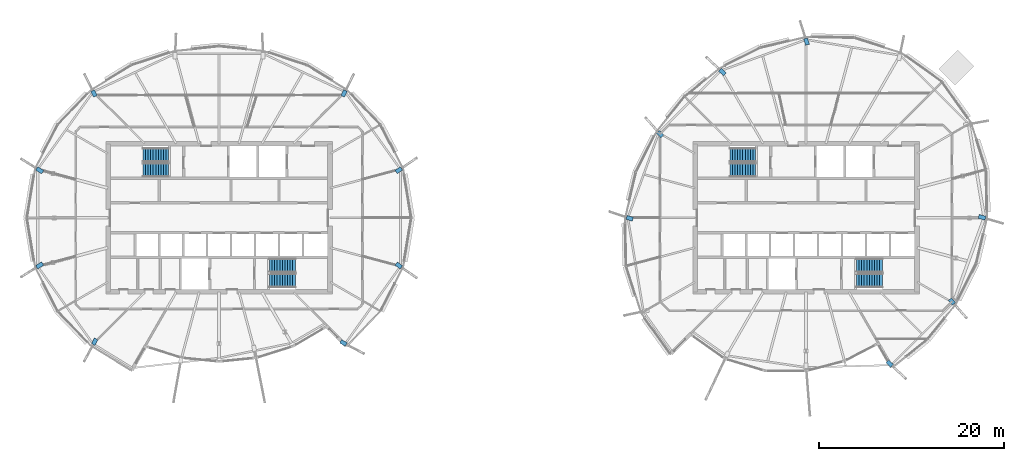
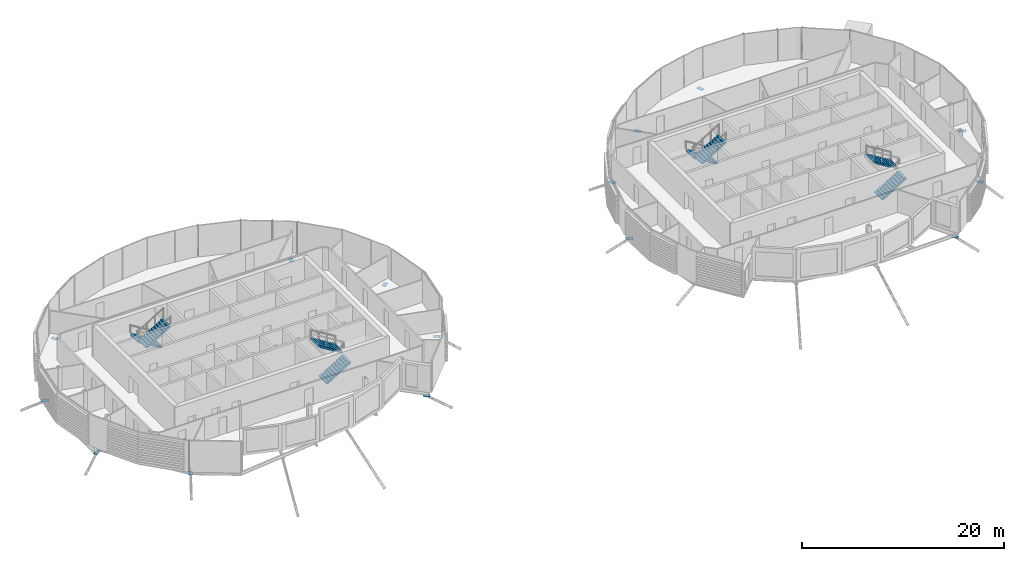
# One storey, part 22 of 35: 15 discrete accessories, 8 stair flights, 4 elements without a shape of their own.
"""IFC4 building model written with IfcOpenShell, lengths in metres."""

from ifc_helpers import new_model, si_unit, direction, frame, origin, origin_2d, place, context, subcontext, project, spatial, polyline, rectangle, outline, extrude, material, material_profile, profile_set, type_object, element, aggregate, save


model = new_model("IFC4")

# Units and contexts
model_context = context("Model", 3, precision=1e-05, world=origin(), true_north=direction((0.0, 1.0)))
body_context = subcontext(model_context, "Body", "Model", "MODEL_VIEW")
ifc_project = project(units=[si_unit("LENGTHUNIT", "METRE"), si_unit("AREAUNIT", "SQUARE_METRE"), si_unit("VOLUMEUNIT", "CUBIC_METRE"), si_unit("PLANEANGLEUNIT", "RADIAN"), si_unit("MASSUNIT", "GRAM", prefix="KILO")], contexts=[model_context])

# Site, building, storey
site_placement = place(None, origin())
site = spatial("IfcSite", under=ifc_project, at=site_placement, CompositionType="ELEMENT")
building_placement = place(site_placement, origin())
building = spatial("IfcBuilding", under=site, at=building_placement, Name="Rimbun Link Towers", CompositionType="ELEMENT")
storey_placement = place(building_placement, frame((0.0, 0.0, 225.699951171875)))
storey = spatial("IfcBuildingStorey", under=building, at=storey_placement, Name="L55", CompositionType="ELEMENT", Elevation=225.699951171875)

# Stair, stair flights
ifc_material_1 = material(Name="Concrete C40/50", Category="concrete")
stair_type = type_object("IfcStairType", Name="Exit stair 3800 rise", PredefinedType="HALF_TURN_STAIR", material=ifc_material_1)
stair_1_placement = place(storey_placement, origin())
stair_1 = element("IfcStair", 1, at=stair_1_placement, inside=storey, type_object=stair_type, Name="L55 EXIT STAIR A", PredefinedType="HALF_TURN_STAIR")
ifc_material_2 = material(Name="Concrete C40/50", Category="concrete")
stair_flight_type = type_object("IfcStairFlightType", Name="Exit stair flight 3800 rise", PredefinedType="STRAIGHT", material=ifc_material_2)
stair_flight_1_placement = place(storey_placement, frame((-37.199951171875, 6.800048828125, 0.0), z_axis=(0.0, 0.0, 1.0), x_axis=(-1.0, 0.0, 0.0)))
stair_flight_1 = element("IfcStairFlight", 2, at=stair_flight_1_placement, type_object=stair_flight_type, Name="ST1 flight 1", NumberOfRisers=11, NumberOfTreads=10, PredefinedType="STRAIGHT", RiserHeight=0.172727273, TreadLength=0.28, context=body_context, shape_type="SweptSolid", body=[
    extrude(outline(polyline([(0.0, 0.0), (0.0, 0.172607421875), (0.280029296875, 0.172607421875), (0.280029296875, 0.345458984375), (0.56005859375, 0.345458984375), (0.56005859375, 0.51806640625), (0.840087890625, 0.51806640625), (0.840087890625, 0.69091796875), (1.1201171875, 0.69091796875), (1.1201171875, 0.863525390625), (1.39990234375, 0.863525390625), (1.39990234375, 1.036376953125), (1.679931640625, 1.036376953125), (1.679931640625, 1.208984375), (1.9599609375, 1.208984375), (1.9599609375, 1.3818359375), (2.239990234375, 1.3818359375), (2.239990234375, 1.554443359375), (2.52001953125, 1.554443359375), (2.52001953125, 1.727294921875), (2.800048828125, 1.727294921875), (2.800048828125, 1.89990234375), (2.800048828125, 1.551025390625), (0.280029296875, 0.0), (0.0, 0.0)])), frame((0.0, 0.75, 0.0), z_axis=(0.0, -1.0, 0.0), x_axis=(1.0, 0.0, 0.0)), (0.0, 0.0, 1.0), 1.5),
])
stair_flight_2_placement = place(storey_placement, frame((-40.0, 5.14990234375, 1.900146484375), z_axis=(0.0, 0.0, 1.0), x_axis=(1.0, 0.0, 0.0)))
stair_flight_2 = element("IfcStairFlight", 3, at=stair_flight_2_placement, type_object=stair_flight_type, Name="ST1 flight 2", NumberOfRisers=11, NumberOfTreads=10, PredefinedType="STRAIGHT", RiserHeight=0.172727273, TreadLength=0.28, context=body_context, shape_type="SweptSolid", body=[
    extrude(outline(polyline([(0.0, 0.0), (0.0, 0.172607421875), (0.280029296875, 0.172607421875), (0.280029296875, 0.345458984375), (0.56005859375, 0.345458984375), (0.56005859375, 0.51806640625), (0.840087890625, 0.51806640625), (0.840087890625, 0.69091796875), (1.1201171875, 0.69091796875), (1.1201171875, 0.863525390625), (1.39990234375, 0.863525390625), (1.39990234375, 1.036376953125), (1.679931640625, 1.036376953125), (1.679931640625, 1.208984375), (1.9599609375, 1.208984375), (1.9599609375, 1.3818359375), (2.239990234375, 1.3818359375), (2.239990234375, 1.554443359375), (2.52001953125, 1.554443359375), (2.52001953125, 1.727294921875), (2.800048828125, 1.727294921875), (2.800048828125, 1.89990234375), (2.800048828125, 1.551025390625), (0.280029296875, 0.0), (0.0, 0.0)])), frame((0.0, 0.75, 0.0), z_axis=(0.0, -1.0, 0.0), x_axis=(1.0, 0.0, 0.0)), (0.0, 0.0, 1.0), 1.5),
])
aggregate(stair_1, [stair_flight_1, stair_flight_2])

stair_2_placement = place(storey_placement, origin())
stair_2 = element("IfcStair", 4, at=stair_2_placement, inside=storey, type_object=stair_type, Name="L55 EXIT STAIR B", PredefinedType="HALF_TURN_STAIR")
stair_flight_3_placement = place(storey_placement, frame((-26.300048828125, -6.800048828125, 0.0), z_axis=(0.0, 0.0, 1.0), x_axis=(1.0, 0.0, 0.0)))
stair_flight_3 = element("IfcStairFlight", 5, at=stair_flight_3_placement, type_object=stair_flight_type, Name="ST2 flight 1", NumberOfRisers=11, NumberOfTreads=10, PredefinedType="STRAIGHT", RiserHeight=0.172727273, TreadLength=0.28, context=body_context, shape_type="SweptSolid", body=[
    extrude(outline(polyline([(0.0, 0.0), (0.0, 0.172607421875), (0.280029296875, 0.172607421875), (0.280029296875, 0.345458984375), (0.56005859375, 0.345458984375), (0.56005859375, 0.51806640625), (0.840087890625, 0.51806640625), (0.840087890625, 0.69091796875), (1.1201171875, 0.69091796875), (1.1201171875, 0.863525390625), (1.39990234375, 0.863525390625), (1.39990234375, 1.036376953125), (1.679931640625, 1.036376953125), (1.679931640625, 1.208984375), (1.9599609375, 1.208984375), (1.9599609375, 1.3818359375), (2.239990234375, 1.3818359375), (2.239990234375, 1.554443359375), (2.52001953125, 1.554443359375), (2.52001953125, 1.727294921875), (2.800048828125, 1.727294921875), (2.800048828125, 1.89990234375), (2.800048828125, 1.551025390625), (0.280029296875, 0.0), (0.0, 0.0)])), frame((0.0, 0.75, 0.0), z_axis=(0.0, -1.0, 0.0), x_axis=(1.0, 0.0, 0.0)), (0.0, 0.0, 1.0), 1.5),
])
stair_flight_4_placement = place(storey_placement, frame((-23.5, -5.14990234375, 1.900146484375), z_axis=(0.0, 0.0, 1.0), x_axis=(-1.0, 0.0, 0.0)))
stair_flight_4 = element("IfcStairFlight", 6, at=stair_flight_4_placement, type_object=stair_flight_type, Name="ST2 flight 2", NumberOfRisers=11, NumberOfTreads=10, PredefinedType="STRAIGHT", RiserHeight=0.172727273, TreadLength=0.28, context=body_context, shape_type="SweptSolid", body=[
    extrude(outline(polyline([(0.0, 0.0), (0.0, 0.172607421875), (0.280029296875, 0.172607421875), (0.280029296875, 0.345458984375), (0.56005859375, 0.345458984375), (0.56005859375, 0.51806640625), (0.840087890625, 0.51806640625), (0.840087890625, 0.69091796875), (1.1201171875, 0.69091796875), (1.1201171875, 0.863525390625), (1.39990234375, 0.863525390625), (1.39990234375, 1.036376953125), (1.679931640625, 1.036376953125), (1.679931640625, 1.208984375), (1.9599609375, 1.208984375), (1.9599609375, 1.3818359375), (2.239990234375, 1.3818359375), (2.239990234375, 1.554443359375), (2.52001953125, 1.554443359375), (2.52001953125, 1.727294921875), (2.800048828125, 1.727294921875), (2.800048828125, 1.89990234375), (2.800048828125, 1.551025390625), (0.280029296875, 0.0), (0.0, 0.0)])), frame((0.0, 0.75, 0.0), z_axis=(0.0, -1.0, 0.0), x_axis=(1.0, 0.0, 0.0)), (0.0, 0.0, 1.0), 1.5),
])
aggregate(stair_2, [stair_flight_3, stair_flight_4])

stair_3_placement = place(storey_placement, origin())
stair_3 = element("IfcStair", 7, at=stair_3_placement, inside=storey, type_object=stair_type, Name="L55 EXIT STAIR A", PredefinedType="HALF_TURN_STAIR")
stair_flight_5_placement = place(storey_placement, frame((26.300048828125, 6.800048828125, 0.0), z_axis=(0.0, 0.0, 1.0), x_axis=(-1.0, 0.0, 0.0)))
stair_flight_5 = element("IfcStairFlight", 8, at=stair_flight_5_placement, type_object=stair_flight_type, Name="ST3 flight 1", NumberOfRisers=11, NumberOfTreads=10, PredefinedType="STRAIGHT", RiserHeight=0.172727273, TreadLength=0.28, context=body_context, shape_type="SweptSolid", body=[
    extrude(outline(polyline([(0.0, 0.0), (0.0, 0.172607421875), (0.280029296875, 0.172607421875), (0.280029296875, 0.345458984375), (0.56005859375, 0.345458984375), (0.56005859375, 0.51806640625), (0.840087890625, 0.51806640625), (0.840087890625, 0.69091796875), (1.1201171875, 0.69091796875), (1.1201171875, 0.863525390625), (1.39990234375, 0.863525390625), (1.39990234375, 1.036376953125), (1.679931640625, 1.036376953125), (1.679931640625, 1.208984375), (1.9599609375, 1.208984375), (1.9599609375, 1.3818359375), (2.239990234375, 1.3818359375), (2.239990234375, 1.554443359375), (2.52001953125, 1.554443359375), (2.52001953125, 1.727294921875), (2.800048828125, 1.727294921875), (2.800048828125, 1.89990234375), (2.800048828125, 1.551025390625), (0.280029296875, 0.0), (0.0, 0.0)])), frame((0.0, 0.75, 0.0), z_axis=(0.0, -1.0, 0.0), x_axis=(1.0, 0.0, 0.0)), (0.0, 0.0, 1.0), 1.5),
])
stair_flight_6_placement = place(storey_placement, frame((23.5, 5.14990234375, 1.900146484375), z_axis=(0.0, 0.0, 1.0), x_axis=(1.0, 0.0, 0.0)))
stair_flight_6 = element("IfcStairFlight", 9, at=stair_flight_6_placement, type_object=stair_flight_type, Name="ST3 flight 2", NumberOfRisers=11, NumberOfTreads=10, PredefinedType="STRAIGHT", RiserHeight=0.172727273, TreadLength=0.28, context=body_context, shape_type="SweptSolid", body=[
    extrude(outline(polyline([(0.0, 0.0), (0.0, 0.172607421875), (0.280029296875, 0.172607421875), (0.280029296875, 0.345458984375), (0.56005859375, 0.345458984375), (0.56005859375, 0.51806640625), (0.840087890625, 0.51806640625), (0.840087890625, 0.69091796875), (1.1201171875, 0.69091796875), (1.1201171875, 0.863525390625), (1.39990234375, 0.863525390625), (1.39990234375, 1.036376953125), (1.679931640625, 1.036376953125), (1.679931640625, 1.208984375), (1.9599609375, 1.208984375), (1.9599609375, 1.3818359375), (2.239990234375, 1.3818359375), (2.239990234375, 1.554443359375), (2.52001953125, 1.554443359375), (2.52001953125, 1.727294921875), (2.800048828125, 1.727294921875), (2.800048828125, 1.89990234375), (2.800048828125, 1.551025390625), (0.280029296875, 0.0), (0.0, 0.0)])), frame((0.0, 0.75, 0.0), z_axis=(0.0, -1.0, 0.0), x_axis=(1.0, 0.0, 0.0)), (0.0, 0.0, 1.0), 1.5),
])
aggregate(stair_3, [stair_flight_5, stair_flight_6])

stair_4_placement = place(storey_placement, origin())
stair_4 = element("IfcStair", 10, at=stair_4_placement, inside=storey, type_object=stair_type, Name="L55 EXIT STAIR B", PredefinedType="HALF_TURN_STAIR")
stair_flight_7_placement = place(storey_placement, frame((37.199951171875, -6.800048828125, 0.0), z_axis=(0.0, 0.0, 1.0), x_axis=(1.0, 0.0, 0.0)))
stair_flight_7 = element("IfcStairFlight", 11, at=stair_flight_7_placement, type_object=stair_flight_type, Name="ST4 flight 1", NumberOfRisers=11, NumberOfTreads=10, PredefinedType="STRAIGHT", RiserHeight=0.172727273, TreadLength=0.28, context=body_context, shape_type="SweptSolid", body=[
    extrude(outline(polyline([(0.0, 0.0), (0.0, 0.172607421875), (0.280029296875, 0.172607421875), (0.280029296875, 0.345458984375), (0.56005859375, 0.345458984375), (0.56005859375, 0.51806640625), (0.840087890625, 0.51806640625), (0.840087890625, 0.69091796875), (1.1201171875, 0.69091796875), (1.1201171875, 0.863525390625), (1.39990234375, 0.863525390625), (1.39990234375, 1.036376953125), (1.679931640625, 1.036376953125), (1.679931640625, 1.208984375), (1.9599609375, 1.208984375), (1.9599609375, 1.3818359375), (2.239990234375, 1.3818359375), (2.239990234375, 1.554443359375), (2.52001953125, 1.554443359375), (2.52001953125, 1.727294921875), (2.800048828125, 1.727294921875), (2.800048828125, 1.89990234375), (2.800048828125, 1.551025390625), (0.280029296875, 0.0), (0.0, 0.0)])), frame((0.0, 0.75, 0.0), z_axis=(0.0, -1.0, 0.0), x_axis=(1.0, 0.0, 0.0)), (0.0, 0.0, 1.0), 1.5),
])
stair_flight_8_placement = place(storey_placement, frame((40.0, -5.14990234375, 1.900146484375), z_axis=(0.0, 0.0, 1.0), x_axis=(-1.0, 0.0, 0.0)))
stair_flight_8 = element("IfcStairFlight", 12, at=stair_flight_8_placement, type_object=stair_flight_type, Name="ST4 flight 2", NumberOfRisers=11, NumberOfTreads=10, PredefinedType="STRAIGHT", RiserHeight=0.172727273, TreadLength=0.28, context=body_context, shape_type="SweptSolid", body=[
    extrude(outline(polyline([(0.0, 0.0), (0.0, 0.172607421875), (0.280029296875, 0.172607421875), (0.280029296875, 0.345458984375), (0.56005859375, 0.345458984375), (0.56005859375, 0.51806640625), (0.840087890625, 0.51806640625), (0.840087890625, 0.69091796875), (1.1201171875, 0.69091796875), (1.1201171875, 0.863525390625), (1.39990234375, 0.863525390625), (1.39990234375, 1.036376953125), (1.679931640625, 1.036376953125), (1.679931640625, 1.208984375), (1.9599609375, 1.208984375), (1.9599609375, 1.3818359375), (2.239990234375, 1.3818359375), (2.239990234375, 1.554443359375), (2.52001953125, 1.554443359375), (2.52001953125, 1.727294921875), (2.800048828125, 1.727294921875), (2.800048828125, 1.89990234375), (2.800048828125, 1.551025390625), (0.280029296875, 0.0), (0.0, 0.0)])), frame((0.0, 0.75, 0.0), z_axis=(0.0, -1.0, 0.0), x_axis=(1.0, 0.0, 0.0)), (0.0, 0.0, 1.0), 1.5),
])
aggregate(stair_4, [stair_flight_7, stair_flight_8])

# Discrete accessories
ifc_material_3 = material(Name="Steel S355J2H", Category="steel")
ifc_material_profile = material_profile(ifc_material_3, rectangle(XDim=0.43310546875, YDim=0.43310546875, at=origin_2d()), Name="PL 433x433")
ifc_profile_set = profile_set([ifc_material_profile], Name="Steel S355J2H")
discrete_accessory_type = type_object("IfcDiscreteAccessoryType", Name="Link head end plate 433X20", PredefinedType="BRACKET", material=ifc_profile_set)
discrete_accessory_1_placement = place(storey_placement, frame((0.0, 0.0, -0.56640625)))
element("IfcDiscreteAccessory", 13, at=discrete_accessory_1_placement, inside=storey, type_object=discrete_accessory_type, Name="Link head end plate T1 L55 01", PredefinedType="BRACKET", context=body_context, shape_type="SweptSolid", body=[
    extrude(outline(polyline([(-12.47412109375, 4.777587890625), (-11.90380859375, 5.17041015625), (-12.1494140625, 5.527099609375), (-12.7197265625, 5.13427734375), (-12.47412109375, 4.777587890625)])), origin(), (0.0, 0.0, 1.0), 0.02001953125),
])
discrete_accessory_2_placement = place(storey_placement, frame((0.0, 0.0, -0.56640625)))
element("IfcDiscreteAccessory", 14, at=discrete_accessory_2_placement, inside=storey, type_object=discrete_accessory_type, Name="Link head end plate T1 L55 03", PredefinedType="BRACKET", context=body_context, shape_type="SweptSolid", body=[
    extrude(outline(polyline([(-18.182373046875, 13.048583984375), (-17.876220703125, 13.6669921875), (-18.264404296875, 13.859130859375), (-18.570556640625, 13.24072265625), (-18.182373046875, 13.048583984375)])), origin(), (0.0, 0.0, 1.0), 0.02001953125),
])
discrete_accessory_3_placement = place(storey_placement, frame((0.0, 0.0, -0.56640625)))
element("IfcDiscreteAccessory", 15, at=discrete_accessory_3_placement, inside=storey, type_object=discrete_accessory_type, Name="Link head end plate T1 L55 09", PredefinedType="BRACKET", context=body_context, shape_type="SweptSolid", body=[
    extrude(outline(polyline([(-44.929443359375, 13.24072265625), (-45.235595703125, 13.859130859375), (-45.623779296875, 13.6669921875), (-45.317626953125, 13.048583984375), (-44.929443359375, 13.24072265625)])), origin(), (0.0, 0.0, 1.0), 0.02001953125),
])
discrete_accessory_4_placement = place(storey_placement, frame((0.0, 0.0, -1.000732421875)))
element("IfcDiscreteAccessory", 16, at=discrete_accessory_4_placement, inside=storey, type_object=discrete_accessory_type, Name="Link head end plate T1 L55 11", PredefinedType="BRACKET", context=body_context, shape_type="SweptSolid", body=[
    extrude(outline(polyline([(-50.71533203125, 5.12109375), (-51.36181640625, 5.5244140625), (-51.5908203125, 5.156982421875), (-50.944580078125, 4.75390625), (-50.71533203125, 5.12109375)])), origin(), (0.0, 0.0, 1.0), 0.02001953125),
])
discrete_accessory_5_placement = place(storey_placement, frame((0.0, 0.0, -1.000732421875)))
element("IfcDiscreteAccessory", 17, at=discrete_accessory_5_placement, inside=storey, type_object=discrete_accessory_type, Name="Link head end plate T1 L55 13", PredefinedType="BRACKET", context=body_context, shape_type="SweptSolid", body=[
    extrude(outline(polyline([(-50.944580078125, -4.75390625), (-51.5908203125, -5.156982421875), (-51.36181640625, -5.5244140625), (-50.71533203125, -5.12109375), (-50.944580078125, -4.75390625)])), origin(), (0.0, 0.0, 1.0), 0.02001953125),
])
discrete_accessory_6_placement = place(storey_placement, frame((0.0, 0.0, -0.56640625)))
element("IfcDiscreteAccessory", 18, at=discrete_accessory_6_placement, inside=storey, type_object=discrete_accessory_type, Name="Link head end plate T1 L55 15", PredefinedType="BRACKET", context=body_context, shape_type="SweptSolid", body=[
    extrude(outline(polyline([(-45.2412109375, -12.995361328125), (-45.560546875, -13.593505859375), (-45.1787109375, -13.797607421875), (-44.859130859375, -13.199462890625), (-45.2412109375, -12.995361328125)])), origin(), (0.0, 0.0, 1.0), 0.02001953125),
])
discrete_accessory_7_placement = place(storey_placement, frame((0.0, 0.0, -0.56640625)))
element("IfcDiscreteAccessory", 19, at=discrete_accessory_7_placement, inside=storey, type_object=discrete_accessory_type, Name="Link head end plate T1 L55 21", PredefinedType="BRACKET", context=body_context, shape_type="SweptSolid", body=[
    extrude(outline(polyline([(-18.697998046875, -13.556640625), (-18.089111328125, -13.875), (-17.888427734375, -13.491455078125), (-18.497314453125, -13.1728515625), (-18.697998046875, -13.556640625)])), origin(), (0.0, 0.0, 1.0), 0.02001953125),
])
discrete_accessory_8_placement = place(storey_placement, frame((0.0, 0.0, -0.56640625)))
element("IfcDiscreteAccessory", 20, at=discrete_accessory_8_placement, inside=storey, type_object=discrete_accessory_type, Name="Link head end plate T1 L55 23", PredefinedType="BRACKET", context=body_context, shape_type="SweptSolid", body=[
    extrude(outline(polyline([(-12.7197265625, -5.13427734375), (-12.1494140625, -5.527099609375), (-11.90380859375, -5.17041015625), (-12.47412109375, -4.777587890625), (-12.7197265625, -5.13427734375)])), origin(), (0.0, 0.0, 1.0), 0.02001953125),
])
discrete_accessory_9_placement = place(storey_placement, frame((0.0, 0.0, -0.762451171875)))
element("IfcDiscreteAccessory", 21, at=discrete_accessory_9_placement, inside=storey, type_object=discrete_accessory_type, Name="Link head end plate T2 L55 03", PredefinedType="BRACKET", context=body_context, shape_type="SweptSolid", body=[
    extrude(outline(polyline([(32.11767578125, 18.785400390625), (31.901123046875, 19.47021484375), (31.48828125, 19.339599609375), (31.704833984375, 18.65478515625), (32.11767578125, 18.785400390625)])), origin(), (0.0, 0.0, 1.0), 0.02001953125),
])
discrete_accessory_10_placement = place(storey_placement, frame((0.0, 0.0, -0.693115234375)))
element("IfcDiscreteAccessory", 22, at=discrete_accessory_10_placement, inside=storey, type_object=discrete_accessory_type, Name="Link head end plate T2 L55 05", PredefinedType="BRACKET", context=body_context, shape_type="SweptSolid", body=[
    extrude(outline(polyline([(23.11572265625, 15.683349609375), (22.590576171875, 16.169921875), (22.29638671875, 15.852294921875), (22.8212890625, 15.36572265625), (23.11572265625, 15.683349609375)])), origin(), (0.0, 0.0, 1.0), 0.02001953125),
])
discrete_accessory_11_placement = place(storey_placement, frame((0.0, 0.0, -0.46337890625)))
element("IfcDiscreteAccessory", 23, at=discrete_accessory_11_placement, inside=storey, type_object=discrete_accessory_type, Name="Link head end plate T2 L55 07", PredefinedType="BRACKET", context=body_context, shape_type="SweptSolid", body=[
    extrude(outline(polyline([(16.357421875, 8.941650390625), (15.90283203125, 9.453857421875), (15.5791015625, 9.16650390625), (16.03369140625, 8.654296875), (16.357421875, 8.941650390625)])), origin(), (0.0, 0.0, 1.0), 0.02001953125),
])
discrete_accessory_12_placement = place(storey_placement, frame((0.0, 0.0, -0.56640625)))
element("IfcDiscreteAccessory", 24, at=discrete_accessory_12_placement, inside=storey, type_object=discrete_accessory_type, Name="Link head end plate T2 L55 09", PredefinedType="BRACKET", context=body_context, shape_type="SweptSolid", body=[
    extrude(outline(polyline([(13.068115234375, 0.043212890625), (12.414306640625, 0.26416015625), (12.27587890625, -0.14599609375), (12.9296875, -0.366943359375), (13.068115234375, 0.043212890625)])), origin(), (0.0, 0.0, 1.0), 0.02001953125),
])
discrete_accessory_13_placement = place(storey_placement, frame((0.0, 0.0, -0.693115234375)))
element("IfcDiscreteAccessory", 25, at=discrete_accessory_13_placement, inside=storey, type_object=discrete_accessory_type, Name="Link head end plate T2 L55 17", PredefinedType="BRACKET", context=body_context, shape_type="SweptSolid", body=[
    extrude(outline(polyline([(40.38427734375, -15.683349609375), (40.909423828125, -16.169921875), (41.20361328125, -15.852294921875), (40.6787109375, -15.36572265625), (40.38427734375, -15.683349609375)])), origin(), (0.0, 0.0, 1.0), 0.02001953125),
])
discrete_accessory_14_placement = place(storey_placement, frame((0.0, 0.0, -0.46337890625)))
element("IfcDiscreteAccessory", 26, at=discrete_accessory_14_placement, inside=storey, type_object=discrete_accessory_type, Name="Link head end plate T2 L55 19", PredefinedType="BRACKET", context=body_context, shape_type="SweptSolid", body=[
    extrude(outline(polyline([(47.142578125, -8.941650390625), (47.59716796875, -9.453857421875), (47.9208984375, -9.16650390625), (47.46630859375, -8.654296875), (47.142578125, -8.941650390625)])), origin(), (0.0, 0.0, 1.0), 0.02001953125),
])
discrete_accessory_15_placement = place(storey_placement, frame((0.0, 0.0, -1.000732421875)))
element("IfcDiscreteAccessory", 27, at=discrete_accessory_15_placement, inside=storey, type_object=discrete_accessory_type, Name="Link head end plate T2 L55 21", PredefinedType="BRACKET", context=body_context, shape_type="SweptSolid", body=[
    extrude(outline(polyline([(50.365478515625, -0.047119140625), (51.094970703125, -0.2587890625), (51.215576171875, 0.1572265625), (50.486083984375, 0.36865234375), (50.365478515625, -0.047119140625)])), origin(), (0.0, 0.0, 1.0), 0.02001953125),
])

save(model, "model.ifc")
